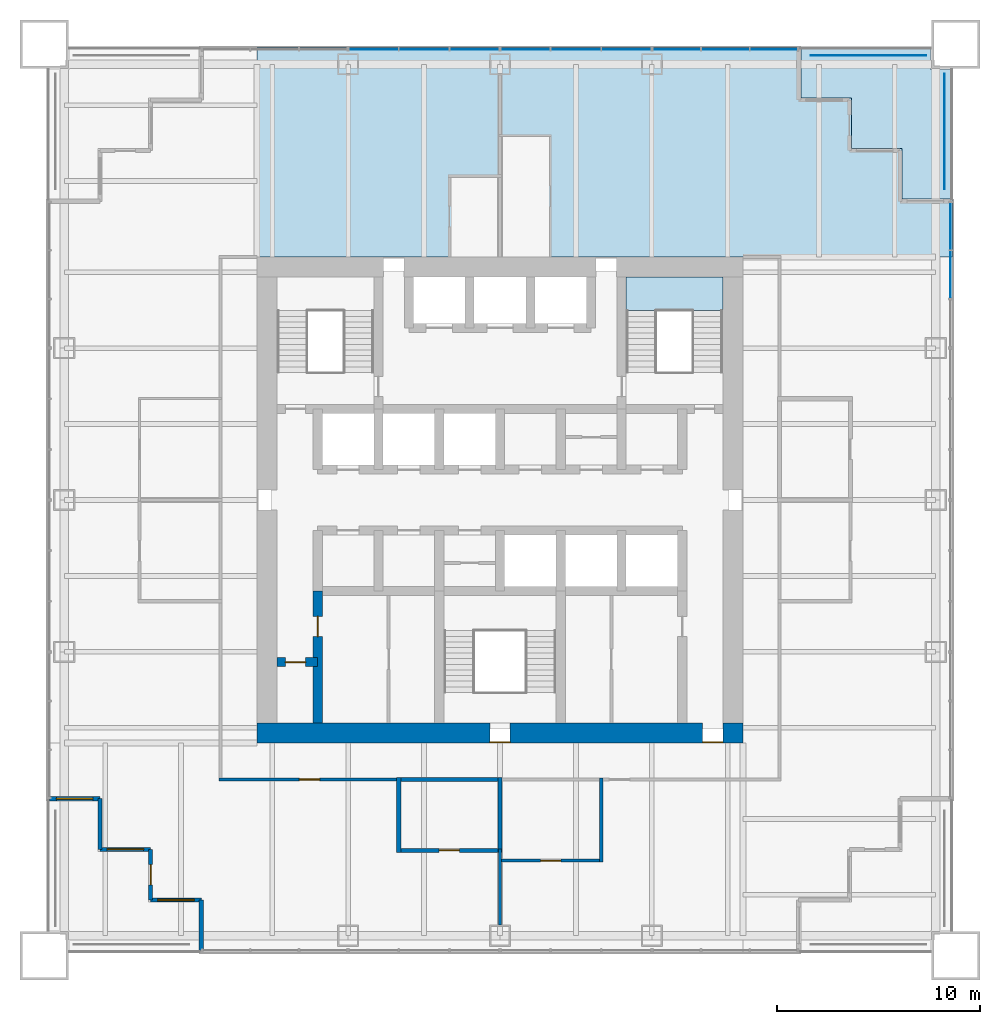
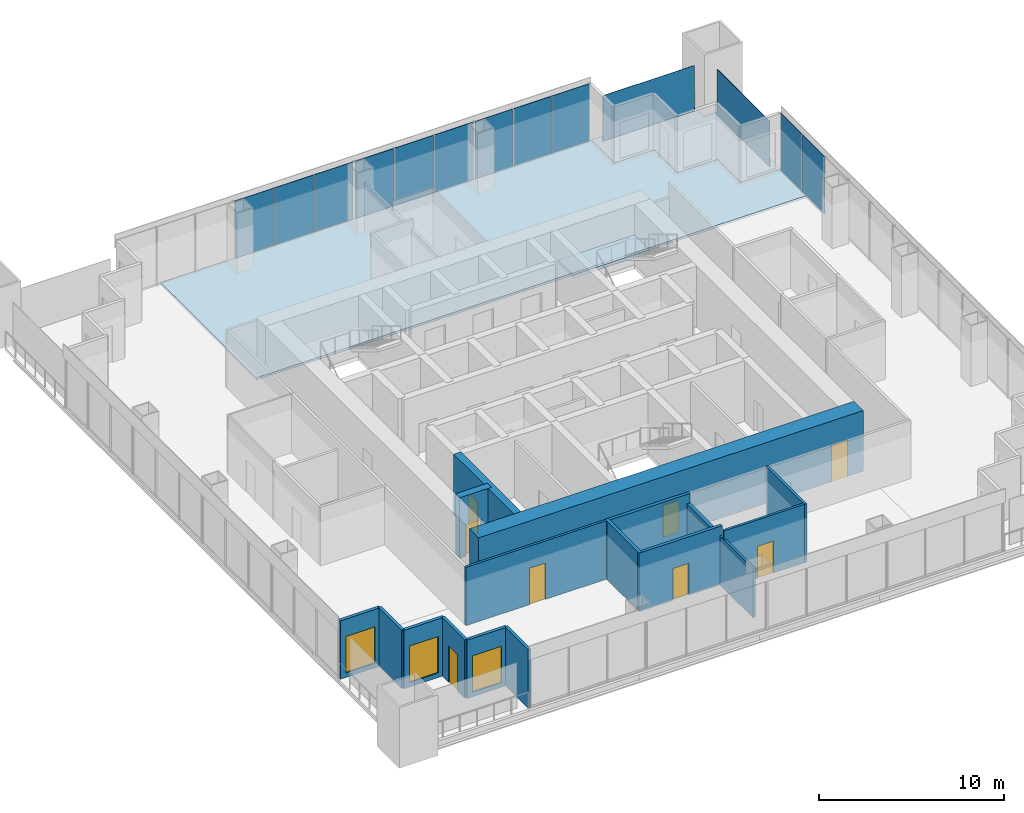
# One storey, part 8 of 13: 17 walls, 13 plates, 8 doors, 3 slabs, 3 windows, 11 openings, 5 elements without a shape of their own.
"""IFC4 building model written with IfcOpenShell, lengths in metres."""

from ifc_helpers import new_model, si_unit, direction, frame, frame_2d, origin, origin_2d, place, context, subcontext, project, spatial, polyline, rectangle, outline, extrude, material, layer, layer_set, type_object, element, fill, aggregate, save


model = new_model("IFC4")

# Units and contexts
model_context = context("Model", 3, precision=1e-05, world=origin(), true_north=direction((0.0, 1.0)))
body_context = subcontext(model_context, "Body", "Model", "MODEL_VIEW")
ifc_project = project(units=[si_unit("LENGTHUNIT", "METRE"), si_unit("AREAUNIT", "SQUARE_METRE"), si_unit("VOLUMEUNIT", "CUBIC_METRE"), si_unit("PLANEANGLEUNIT", "RADIAN"), si_unit("MASSUNIT", "GRAM", prefix="KILO")], contexts=[model_context])

# Site, building, storey
site_placement = place(None, origin())
site = spatial("IfcSite", under=ifc_project, at=site_placement, CompositionType="ELEMENT")
building_placement = place(site_placement, origin())
building = spatial("IfcBuilding", under=site, at=building_placement, Name="Tarangal Relay Tower", CompositionType="ELEMENT")
storey_placement = place(building_placement, frame((0.0, 0.0, 217.89990234375)))
storey = spatial("IfcBuildingStorey", under=building, at=storey_placement, Name="L46", CompositionType="ELEMENT", Elevation=217.89990234375)

# Slab
ifc_material_1 = material(Name="Concrete fc' 35 MPa", Category="concrete")
ifc_layer_1 = layer(ifc_material_1, 0.14990234375)
ifc_layer_set_1 = layer_set([ifc_layer_1], Name="Floor slab 150")
slab_type_1 = type_object("IfcSlabType", Name="Floor slab 150", PredefinedType="FLOOR", material=ifc_layer_set_1)
slab_1_placement = place(storey_placement, frame((0.0, 0.0, -0.14990234375)))
element("IfcSlab", 1, at=slab_1_placement, inside=storey, type_object=slab_type_1, Name="Floor slab FS3 L46 north bay", PredefinedType="FLOOR", context=body_context, shape_type="SweptSolid", body=[
    extrude(outline(polyline([(14.85009765625, 22.35009765625), (14.85009765625, 19.85009765625), (17.35009765625, 19.85009765625), (17.35009765625, 17.35009765625), (19.85009765625, 17.35009765625), (19.85009765625, 14.85009765625), (22.35009765625, 14.85009765625), (22.35009765625, 12.0), (-12.0, 12.0), (-12.0, 22.35009765625), (14.85009765625, 22.35009765625)])), origin(), (0.0, 0.0, 1.0), 0.14990234375),
])

# Curtain wall, plates
ifc_material_2 = material(Name="Unitised curtain wall, dark glass and black aluminium", Category="aluminium")
curtain_wall_type = type_object("IfcCurtainWallType", Name="Curtain wall CW-A", PredefinedType="USERDEFINED", material=ifc_material_2)
curtain_wall_1_placement = place(storey_placement, origin())
curtain_wall_1 = element("IfcCurtainWall", 2, at=curtain_wall_1_placement, inside=storey, type_object=curtain_wall_type, Name="Curtain wall CW-A N facade L46", ObjectType="UNITISED CURTAIN WALL", PredefinedType="USERDEFINED")
ifc_material_3 = material(Name="Dark tinted insulated glass unit", Category="glass")
ifc_layer_2 = layer(ifc_material_3, 0.031982421875)
ifc_layer_set_2 = layer_set([ifc_layer_2], Name="Glazed panel CW-A 32")
plate_type_1 = type_object("IfcPlateType", Name="Glazed panel CW-A 32", PredefinedType="CURTAIN_PANEL", material=ifc_layer_set_2)
plate_1_placement = place(storey_placement, frame((-6.233642578125, 22.25, 0.06494140625), z_axis=(0.0, 0.0, 1.0), x_axis=(1.0, 0.0, 0.0)))
plate_1 = element("IfcPlate", 3, at=plate_1_placement, type_object=plate_type_1, Name="CW-A panel 1.1", PredefinedType="CURTAIN_PANEL", context=body_context, shape_type="SweptSolid", body=[
    extrude(rectangle(XDim=2.402587890625, YDim=0.031982421875, at=origin_2d()), origin(), (0.0, 0.0, 1.0), 3.784912109375),
])
plate_2_placement = place(storey_placement, frame((-3.75, 22.25, 0.06494140625), z_axis=(0.0, 0.0, 1.0), x_axis=(1.0, 0.0, 0.0)))
plate_2 = element("IfcPlate", 4, at=plate_2_placement, type_object=plate_type_1, Name="CW-A panel 2.1", PredefinedType="CURTAIN_PANEL", context=body_context, shape_type="SweptSolid", body=[
    extrude(rectangle(XDim=2.43505859375, YDim=0.031982421875, at=origin_2d()), origin(), (0.0, 0.0, 1.0), 3.784912109375),
])
plate_3_placement = place(storey_placement, frame((-1.266357421875, 22.25, 0.06494140625), z_axis=(0.0, 0.0, 1.0), x_axis=(1.0, 0.0, 0.0)))
plate_3 = element("IfcPlate", 5, at=plate_3_placement, type_object=plate_type_1, Name="CW-A panel 3.1", PredefinedType="CURTAIN_PANEL", context=body_context, shape_type="SweptSolid", body=[
    extrude(rectangle(XDim=2.402587890625, YDim=0.031982421875, at=origin_2d()), origin(), (0.0, 0.0, 1.0), 3.784912109375),
])
aggregate(curtain_wall_1, [plate_1, plate_2, plate_3])

curtain_wall_2_placement = place(storey_placement, origin())
curtain_wall_2 = element("IfcCurtainWall", 6, at=curtain_wall_2_placement, inside=storey, type_object=curtain_wall_type, Name="Curtain wall CW-A N facade L46", ObjectType="UNITISED CURTAIN WALL", PredefinedType="USERDEFINED")
plate_4_placement = place(storey_placement, frame((1.266357421875, 22.25, 0.06494140625), z_axis=(0.0, 0.0, 1.0), x_axis=(1.0, 0.0, 0.0)))
plate_4 = element("IfcPlate", 7, at=plate_4_placement, type_object=plate_type_1, Name="CW-A panel 1.1", PredefinedType="CURTAIN_PANEL", context=body_context, shape_type="SweptSolid", body=[
    extrude(rectangle(XDim=2.402587890625, YDim=0.031982421875, at=origin_2d()), origin(), (0.0, 0.0, 1.0), 3.784912109375),
])
plate_5_placement = place(storey_placement, frame((3.75, 22.25, 0.06494140625), z_axis=(0.0, 0.0, 1.0), x_axis=(1.0, 0.0, 0.0)))
plate_5 = element("IfcPlate", 8, at=plate_5_placement, type_object=plate_type_1, Name="CW-A panel 2.1", PredefinedType="CURTAIN_PANEL", context=body_context, shape_type="SweptSolid", body=[
    extrude(rectangle(XDim=2.43505859375, YDim=0.031982421875, at=origin_2d()), origin(), (0.0, 0.0, 1.0), 3.784912109375),
])
plate_6_placement = place(storey_placement, frame((6.233642578125, 22.25, 0.06494140625), z_axis=(0.0, 0.0, 1.0), x_axis=(1.0, 0.0, 0.0)))
plate_6 = element("IfcPlate", 9, at=plate_6_placement, type_object=plate_type_1, Name="CW-A panel 3.1", PredefinedType="CURTAIN_PANEL", context=body_context, shape_type="SweptSolid", body=[
    extrude(rectangle(XDim=2.402587890625, YDim=0.031982421875, at=origin_2d()), origin(), (0.0, 0.0, 1.0), 3.784912109375),
])
aggregate(curtain_wall_2, [plate_4, plate_5, plate_6])

curtain_wall_3_placement = place(storey_placement, origin())
curtain_wall_3 = element("IfcCurtainWall", 10, at=curtain_wall_3_placement, inside=storey, type_object=curtain_wall_type, Name="Curtain wall CW-A N facade L46", ObjectType="UNITISED CURTAIN WALL", PredefinedType="USERDEFINED")
plate_7_placement = place(storey_placement, frame((8.724609375, 22.25, 0.06494140625), z_axis=(0.0, 0.0, 1.0), x_axis=(1.0, 0.0, 0.0)))
plate_7 = element("IfcPlate", 11, at=plate_7_placement, type_object=plate_type_1, Name="CW-A panel 1.1", PredefinedType="CURTAIN_PANEL", context=body_context, shape_type="SweptSolid", body=[
    extrude(rectangle(XDim=2.319091796875, YDim=0.031982421875, at=origin_2d()), origin(), (0.0, 0.0, 1.0), 3.784912109375),
])
plate_8_placement = place(storey_placement, frame((11.125, 22.25, 0.06494140625), z_axis=(0.0, 0.0, 1.0), x_axis=(1.0, 0.0, 0.0)))
plate_8 = element("IfcPlate", 12, at=plate_8_placement, type_object=plate_type_1, Name="CW-A panel 2.1", PredefinedType="CURTAIN_PANEL", context=body_context, shape_type="SweptSolid", body=[
    extrude(rectangle(XDim=2.3515625, YDim=0.031982421875, at=origin_2d()), origin(), (0.0, 0.0, 1.0), 3.784912109375),
])
plate_9_placement = place(storey_placement, frame((13.525390625, 22.25, 0.06494140625), z_axis=(0.0, 0.0, 1.0), x_axis=(1.0, 0.0, 0.0)))
plate_9 = element("IfcPlate", 13, at=plate_9_placement, type_object=plate_type_1, Name="CW-A panel 3.1", PredefinedType="CURTAIN_PANEL", context=body_context, shape_type="SweptSolid", body=[
    extrude(rectangle(XDim=2.319091796875, YDim=0.031982421875, at=origin_2d()), origin(), (0.0, 0.0, 1.0), 3.784912109375),
])
aggregate(curtain_wall_3, [plate_7, plate_8, plate_9])

curtain_wall_4_placement = place(storey_placement, origin())
curtain_wall_4 = element("IfcCurtainWall", 14, at=curtain_wall_4_placement, inside=storey, type_object=curtain_wall_type, Name="Curtain wall CW-A E facade L46", ObjectType="UNITISED CURTAIN WALL", PredefinedType="USERDEFINED")
plate_10_placement = place(storey_placement, frame((22.25, 13.525390625, 0.06494140625), z_axis=(0.0, 0.0, 1.0), x_axis=(0.0, -1.0, 0.0)))
plate_10 = element("IfcPlate", 15, at=plate_10_placement, type_object=plate_type_1, Name="CW-A panel 1.1", PredefinedType="CURTAIN_PANEL", context=body_context, shape_type="SweptSolid", body=[
    extrude(rectangle(XDim=2.319091796875, YDim=0.031982421875, at=origin_2d()), origin(), (0.0, 0.0, 1.0), 3.784912109375),
])
plate_11_placement = place(storey_placement, frame((22.25, 11.125, 0.06494140625), z_axis=(0.0, 0.0, 1.0), x_axis=(0.0, -1.0, 0.0)))
plate_11 = element("IfcPlate", 16, at=plate_11_placement, type_object=plate_type_1, Name="CW-A panel 2.1", PredefinedType="CURTAIN_PANEL", context=body_context, shape_type="SweptSolid", body=[
    extrude(rectangle(XDim=2.3515625, YDim=0.031982421875, at=origin_2d()), origin(), (0.0, 0.0, 1.0), 3.784912109375),
])
aggregate(curtain_wall_4, [plate_10, plate_11])

# Plate
ifc_material_4 = material(Name="Black stainless steel cable trellis with climbing planting", Category="steel")
ifc_layer_3 = layer(ifc_material_4, 0.030029296875)
ifc_layer_set_3 = layer_set([ifc_layer_3], Name="Planted trellis screen")
plate_type_2 = type_object("IfcPlateType", Name="Planted trellis screen", PredefinedType="SHEET", material=ifc_layer_set_3)
plate_12_placement = place(storey_placement, frame((21.949951171875, 18.199951171875, 0.0), z_axis=(0.0, 0.0, 1.0), x_axis=(0.0, -1.0, 0.0)))
element("IfcPlate", 17, at=plate_12_placement, inside=storey, type_object=plate_type_2, Name="Planted trellis SC2 NE L46", PredefinedType="SHEET", context=body_context, shape_type="SweptSolid", body=[
    extrude(rectangle(XDim=5.699951171875, YDim=0.030029296875, at=origin_2d()), origin(), (0.0, 0.0, 1.0), 3.0),
])

# Stair, slab
ifc_material_5 = material(Name="Steel ASTM A992 stair flight", Category="steel")
stair_type = type_object("IfcStairType", Name="Core stair 1500", PredefinedType="HALF_TURN_STAIR", material=ifc_material_5)
stair_placement = place(storey_placement, origin())
stair = element("IfcStair", 18, at=stair_placement, inside=storey, type_object=stair_type, Name="Stair ST-B L46", PredefinedType="HALF_TURN_STAIR")
ifc_layer_4 = layer(ifc_material_1, 0.199951171875)
ifc_layer_set_4 = layer_set([ifc_layer_4], Name="Stair landing 200")
slab_type_2 = type_object("IfcSlabType", Name="Stair landing 200", PredefinedType="LANDING", material=ifc_layer_set_4)
slab_2_placement = place(storey_placement, frame((0.0, 0.0, 1.800048828125)))
slab_2 = element("IfcSlab", 19, at=slab_2_placement, type_object=slab_type_2, Name="ST-B landing 2", PredefinedType="LANDING", context=body_context, shape_type="SweptSolid", body=[
    extrude(outline(polyline([(6.22509765625, 9.346923828125), (11.0, 9.346923828125), (11.0, 11.0), (6.22509765625, 11.0), (6.22509765625, 9.346923828125)])), origin(), (0.0, 0.0, 1.0), 0.199951171875),
])
aggregate(stair, [slab_2])

# Plate
ifc_material_6 = material(Name="Perforated black aluminium screen", Category="aluminium")
ifc_layer_5 = layer(ifc_material_6, 0.02001953125)
ifc_layer_set_5 = layer_set([ifc_layer_5], Name="Terrace screen panel")
plate_type_3 = type_object("IfcPlateType", Name="Terrace screen panel", PredefinedType="SHEET", material=ifc_layer_set_5)
plate_13_placement = place(storey_placement, frame((18.199951171875, 21.949951171875, 0.0), z_axis=(0.0, 0.0, 1.0), x_axis=(1.0, 0.0, 0.0)))
element("IfcPlate", 20, at=plate_13_placement, inside=storey, type_object=plate_type_3, Name="Terrace screen SC1 NE L46", PredefinedType="SHEET", context=body_context, shape_type="SweptSolid", body=[
    extrude(rectangle(XDim=5.699951171875, YDim=0.02001953125, at=origin_2d()), origin(), (0.0, 0.0, 1.0), 3.0),
])

# Slab
ifc_layer_6 = layer(ifc_material_1, 0.14990234375)
ifc_layer_set_6 = layer_set([ifc_layer_6], Name="Terrace slab 150")
slab_type_3 = type_object("IfcSlabType", Name="Terrace slab 150", PredefinedType="FLOOR", material=ifc_layer_set_6)
slab_3_placement = place(storey_placement, frame((0.0, 0.0, -0.14990234375)))
element("IfcSlab", 21, at=slab_3_placement, inside=storey, type_object=slab_type_3, Name="Corner terrace NE L46", PredefinedType="FLOOR", context=body_context, shape_type="SweptSolid", body=[
    extrude(outline(polyline([(14.85009765625, 22.35009765625), (14.85009765625, 19.85009765625), (17.35009765625, 19.85009765625), (17.35009765625, 17.35009765625), (19.85009765625, 17.35009765625), (19.85009765625, 14.85009765625), (22.35009765625, 14.85009765625), (22.35009765625, 21.25), (21.25, 21.25), (21.25, 22.35009765625), (14.85009765625, 22.35009765625)])), origin(), (0.0, 0.0, 1.0), 0.14990234375),
])

# Wall, opening, door
ifc_material_7 = material(Name="Two layers gypsum board each side on twin steel studs, mineral wool", Category="steel")
ifc_layer_7 = layer(ifc_material_7, 0.199951171875)
ifc_layer_set_7 = layer_set([ifc_layer_7], Name="Acoustic partition 200")
wall_type_1 = type_object("IfcWallType", Name="Acoustic partition 200", PredefinedType="PARTITIONING", material=ifc_layer_set_7)
wall_1_placement = place(storey_placement, frame((-5.10009765625, -17.300048828125, 0.0), z_axis=(0.0, 0.0, 1.0), x_axis=(1.0, 0.0, 0.0)))
wall_1 = element("IfcWall", 22, at=wall_1_placement, inside=storey, type_object=wall_type_1, Name="Partition PT2 L46", PredefinedType="PARTITIONING", context=body_context, shape_type="SweptSolid", body=[
    extrude(rectangle(XDim=5.2001953125, YDim=0.199951171875, at=frame_2d((2.60009765625, 0.0))), origin(), (0.0, 0.0, 1.0), 3.85009765625),
])
opening_1_placement = place(wall_1_placement, frame((2.10009765625, 0.0, 0.0)))
opening_1 = element("IfcOpeningElement", 23, at=opening_1_placement, cuts=wall_1, Name="Opening D2", PredefinedType="OPENING", context=body_context, shape_type="SweptSolid", body=[
    extrude(rectangle(XDim=1.0, YDim=2.10009765625, at=frame_2d((0.5, 1.050048828125))), frame((0.0, 0.10986328125, 0.0), z_axis=(0.0, -1.0, 0.0), x_axis=(1.0, 0.0, 0.0)), (0.0, 0.0, 1.0), 0.219970703125),
])
ifc_material_8 = material(Name="Hardwood door", Category="wood")
door_type_1 = type_object("IfcDoorType", Name="Door 1000 x 2100", OperationType="SINGLE_SWING_LEFT", PredefinedType="DOOR", material=ifc_material_8)
door_1_placement = place(opening_1_placement, origin())
door_1 = element("IfcDoor", 24, at=door_1_placement, inside=storey, type_object=door_type_1, Name="Door D2 to quiet room L46-07", OperationType="SINGLE_SWING_LEFT", OverallHeight=2.10009765625, OverallWidth=1.0, PredefinedType="DOOR", context=body_context, shape_type="SweptSolid", body=[
    extrude(rectangle(XDim=1.0, YDim=2.10009765625, at=frame_2d((0.5, 1.050048828125))), frame((0.0, 0.02490234375, 0.0), z_axis=(0.0, -1.0, 0.0), x_axis=(1.0, 0.0, 0.0)), (0.0, 0.0, 1.0), 0.050048828125),
])
fill(opening_1, door_1)

# Walls
wall_2_placement = place(storey_placement, frame((-5.10009765625, -13.800048828125, 0.0), z_axis=(0.0, 0.0, 1.0), x_axis=(1.0, 0.0, 0.0)))
element("IfcWall", 25, at=wall_2_placement, inside=storey, type_object=wall_type_1, Name="Partition PT2 L46", PredefinedType="PARTITIONING", context=body_context, shape_type="SweptSolid", body=[
    extrude(rectangle(XDim=5.2001953125, YDim=0.199951171875, at=frame_2d((2.60009765625, 0.0))), origin(), (0.0, 0.0, 1.0), 3.85009765625),
])
wall_3_placement = place(storey_placement, frame((-5.0, -17.39990234375, 0.0), z_axis=(0.0, 0.0, 1.0), x_axis=(0.0, 1.0, 0.0)))
element("IfcWall", 26, at=wall_3_placement, inside=storey, type_object=wall_type_1, Name="Partition PT2 L46", PredefinedType="PARTITIONING", context=body_context, shape_type="SweptSolid", body=[
    extrude(rectangle(XDim=3.699951171875, YDim=0.199951171875, at=frame_2d((1.85009765625, 0.0))), origin(), (0.0, 0.0, 1.0), 3.85009765625),
])
wall_4_placement = place(storey_placement, frame((0.0, -17.39990234375, 0.0), z_axis=(0.0, 0.0, 1.0), x_axis=(0.0, 1.0, 0.0)))
element("IfcWall", 27, at=wall_4_placement, inside=storey, type_object=wall_type_1, Name="Partition PT2 L46", PredefinedType="PARTITIONING", context=body_context, shape_type="SweptSolid", body=[
    extrude(rectangle(XDim=3.699951171875, YDim=0.199951171875, at=frame_2d((1.85009765625, 0.0))), origin(), (0.0, 0.0, 1.0), 3.238037109375),
])

# Wall, opening, door
ifc_material_9 = material(Name="Concrete fc' 60 MPa", Category="concrete")
ifc_layer_8 = layer(ifc_material_9, 0.449951171875)
ifc_layer_set_8 = layer_set([ifc_layer_8], Name="Core inner wall 450")
wall_type_2 = type_object("IfcWallType", Name="Core inner wall 450", PredefinedType="SHEAR", material=ifc_layer_set_8)
wall_5_placement = place(storey_placement, frame((-11.0, -8.0, 0.0), z_axis=(0.0, 0.0, 1.0), x_axis=(1.0, 0.0, 0.0)))
wall_5 = element("IfcWall", 28, at=wall_5_placement, inside=storey, type_object=wall_type_2, Name="Core wall YM8 L46", PredefinedType="SHEAR", context=body_context, shape_type="SweptSolid", body=[
    extrude(rectangle(XDim=2.0, YDim=0.449951171875, at=frame_2d((1.0, 0.0))), origin(), (0.0, 0.0, 1.0), 4.0),
])
opening_2_placement = place(wall_5_placement, frame((0.39990234375, 0.0, 0.0)))
opening_2 = element("IfcOpeningElement", 29, at=opening_2_placement, cuts=wall_5, Name="Opening D1", PredefinedType="OPENING", context=body_context, shape_type="SweptSolid", body=[
    extrude(rectangle(XDim=1.0, YDim=2.10009765625, at=frame_2d((0.5, 1.050048828125))), frame((0.0, 0.23486328125, 0.0), z_axis=(0.0, -1.0, 0.0), x_axis=(1.0, 0.0, 0.0)), (0.0, 0.0, 1.0), 0.469970703125),
])
door_type_2 = type_object("IfcDoorType", Name="WC door 1000 x 2100", OperationType="SINGLE_SWING_LEFT", PredefinedType="DOOR", material=ifc_material_8)
door_2_placement = place(opening_2_placement, origin())
door_2 = element("IfcDoor", 30, at=door_2_placement, inside=storey, type_object=door_type_2, Name="Accessible WC door L46", OperationType="SINGLE_SWING_LEFT", OverallHeight=2.10009765625, OverallWidth=1.0, PredefinedType="DOOR", context=body_context, shape_type="SweptSolid", body=[
    extrude(rectangle(XDim=1.0, YDim=2.10009765625, at=frame_2d((0.5, 1.050048828125))), frame((0.0, 0.02490234375, 0.0), z_axis=(0.0, -1.0, 0.0), x_axis=(1.0, 0.0, 0.0)), (0.0, 0.0, 1.0), 0.050048828125),
])
fill(opening_2, door_2)

wall_6_placement = place(storey_placement, frame((-9.0, -11.0, 0.0), z_axis=(0.0, 0.0, 1.0), x_axis=(0.0, 1.0, 0.0)))
wall_6 = element("IfcWall", 31, at=wall_6_placement, inside=storey, type_object=wall_type_2, Name="Core wall XM9W L46", PredefinedType="SHEAR", context=body_context, shape_type="SweptSolid", body=[
    extrude(rectangle(XDim=6.5, YDim=0.449951171875, at=frame_2d((3.25, 0.0))), origin(), (0.0, 0.0, 1.0), 4.0),
])
opening_3_placement = place(wall_6_placement, frame((4.25, 0.0, 0.0)))
opening_3 = element("IfcOpeningElement", 32, at=opening_3_placement, cuts=wall_6, Name="Opening D1", PredefinedType="OPENING", context=body_context, shape_type="SweptSolid", body=[
    extrude(rectangle(XDim=1.0, YDim=2.10009765625, at=frame_2d((0.5, 1.050048828125))), frame((0.0, 0.23486328125, 0.0), z_axis=(0.0, -1.0, 0.0), x_axis=(1.0, 0.0, 0.0)), (0.0, 0.0, 1.0), 0.469970703125),
])
door_3_placement = place(opening_3_placement, origin())
door_3 = element("IfcDoor", 33, at=door_3_placement, inside=storey, type_object=door_type_2, Name="Male WC door L46", OperationType="SINGLE_SWING_LEFT", OverallHeight=2.10009765625, OverallWidth=1.0, PredefinedType="DOOR", context=body_context, shape_type="SweptSolid", body=[
    extrude(rectangle(XDim=1.0, YDim=2.10009765625, at=frame_2d((0.5, 1.050048828125))), frame((0.0, 0.02490234375, 0.0), z_axis=(0.0, -1.0, 0.0), x_axis=(1.0, 0.0, 0.0)), (0.0, 0.0, 1.0), 0.050048828125),
])
fill(opening_3, door_3)

# Wall, openings, doors
ifc_layer_9 = layer(ifc_material_9, 1.0)
ifc_layer_set_9 = layer_set([ifc_layer_9], Name="Core wall 1000")
wall_type_3 = type_object("IfcWallType", Name="Core wall 1000", PredefinedType="SHEAR", material=ifc_layer_set_9)
wall_7_placement = place(storey_placement, frame((12.0, -11.5, 0.0), z_axis=(0.0, 0.0, 1.0), x_axis=(-1.0, 0.0, 0.0)))
wall_7 = element("IfcWall", 34, at=wall_7_placement, inside=storey, type_object=wall_type_3, Name="Core wall S L46", PredefinedType="SHEAR", context=body_context, shape_type="SweptSolid", body=[
    extrude(rectangle(XDim=24.0, YDim=1.0, at=frame_2d((12.0, 0.0))), origin(), (0.0, 0.0, 1.0), 4.0),
])
opening_4_placement = place(wall_7_placement, frame((11.5, 0.0, 0.0)))
opening_4 = element("IfcOpeningElement", 35, at=opening_4_placement, cuts=wall_7, Name="Opening FD1", PredefinedType="OPENING", context=body_context, shape_type="SweptSolid", body=[
    extrude(rectangle(XDim=1.0, YDim=2.10009765625, at=frame_2d((0.5, 1.050048828125))), frame((0.0, 0.510009765625, 0.0), z_axis=(0.0, -1.0, 0.0), x_axis=(1.0, 0.0, 0.0)), (0.0, 0.0, 1.0), 1.02001953125),
])
opening_5_placement = place(wall_7_placement, frame((1.0, 0.0, 0.0)))
opening_5 = element("IfcOpeningElement", 36, at=opening_5_placement, cuts=wall_7, Name="Opening FD3", PredefinedType="OPENING", context=body_context, shape_type="SweptSolid", body=[
    extrude(rectangle(XDim=1.0, YDim=2.39990234375, at=frame_2d((0.5, 1.199951171875))), frame((0.0, 0.510009765625, 0.0), z_axis=(0.0, -1.0, 0.0), x_axis=(1.0, 0.0, 0.0)), (0.0, 0.0, 1.0), 1.02001953125),
])
ifc_material_10 = material(Name="Steel door with hardwood frame", Category="steel")
door_type_3 = type_object("IfcDoorType", Name="Fire door 1000 x 2100", OperationType="SINGLE_SWING_LEFT", PredefinedType="DOOR", material=ifc_material_10)
door_4_placement = place(opening_4_placement, origin())
door_4 = element("IfcDoor", 37, at=door_4_placement, inside=storey, type_object=door_type_3, Name="Stair ST-C door L46", OperationType="SINGLE_SWING_LEFT", OverallHeight=2.10009765625, OverallWidth=1.0, PredefinedType="DOOR", context=body_context, shape_type="SweptSolid", body=[
    extrude(rectangle(XDim=1.0, YDim=2.10009765625, at=frame_2d((0.5, 1.050048828125))), frame((0.0, 0.48486328125, 0.0), z_axis=(0.0, -1.0, 0.0), x_axis=(1.0, 0.0, 0.0)), (0.0, 0.0, 1.0), 0.050048828125),
])
fill(opening_4, door_4)
door_type_4 = type_object("IfcDoorType", Name="Fire door 1000 x 2400 core entry", OperationType="SINGLE_SWING_RIGHT", PredefinedType="DOOR", material=ifc_material_10)
door_5_placement = place(opening_5_placement, origin())
door_5 = element("IfcDoor", 38, at=door_5_placement, inside=storey, type_object=door_type_4, Name="Core entry door south east L46", OperationType="SINGLE_SWING_RIGHT", OverallHeight=2.39990234375, OverallWidth=1.0, PredefinedType="DOOR", context=body_context, shape_type="SweptSolid", body=[
    extrude(rectangle(XDim=1.0, YDim=2.39990234375, at=frame_2d((0.5, 1.199951171875))), frame((0.0, 0.48486328125, 0.0), z_axis=(0.0, -1.0, 0.0), x_axis=(1.0, 0.0, 0.0)), (0.0, 0.0, 1.0), 0.050048828125),
])
fill(opening_5, door_5)

# Wall
ifc_material_11 = material(Name="Black metal clad insulated wall", Category="steel")
ifc_layer_10 = layer(ifc_material_11, 0.199951171875)
ifc_layer_set_10 = layer_set([ifc_layer_10], Name="Corner wall metal clad 200")
wall_type_4 = type_object("IfcWallType", Name="Corner wall metal clad 200", PredefinedType="SOLIDWALL", material=ifc_layer_set_10)
wall_8_placement = place(storey_placement, frame((-14.75, -22.25, 0.0), z_axis=(0.0, 0.0, 1.0), x_axis=(0.0, 1.0, 0.0)))
element("IfcWall", 39, at=wall_8_placement, inside=storey, type_object=wall_type_4, Name="Facade wall S facade L46", PredefinedType="SOLIDWALL", context=body_context, shape_type="SweptSolid", body=[
    extrude(rectangle(XDim=2.5, YDim=0.199951171875, at=frame_2d((1.25, 0.0))), origin(), (0.0, 0.0, 1.0), 3.85009765625),
])

# Wall, opening, window
wall_9_placement = place(storey_placement, frame((-14.75, -19.75, 0.0), z_axis=(0.0, 0.0, 1.0), x_axis=(-1.0, 0.0, 0.0)))
wall_9 = element("IfcWall", 40, at=wall_9_placement, inside=storey, type_object=wall_type_4, Name="Facade wall S facade L46", PredefinedType="SOLIDWALL", context=body_context, shape_type="SweptSolid", body=[
    extrude(rectangle(XDim=2.5, YDim=0.199951171875, at=frame_2d((1.25, 0.0))), origin(), (0.0, 0.0, 1.0), 3.85009765625),
])
opening_6_placement = place(wall_9_placement, frame((0.35009765625, 0.0, 0.300048828125)))
opening_6 = element("IfcOpeningElement", 41, at=opening_6_placement, cuts=wall_9, Name="Opening WN2", PredefinedType="OPENING", context=body_context, shape_type="SweptSolid", body=[
    extrude(rectangle(XDim=1.800048828125, YDim=2.39990234375, at=frame_2d((0.89990234375, 1.199951171875))), frame((0.0, 0.10986328125, 0.0), z_axis=(0.0, -1.0, 0.0), x_axis=(1.0, 0.0, 0.0)), (0.0, 0.0, 1.0), 0.219970703125),
])
ifc_material_12 = material(Name="Dark tinted double glazing in black aluminium frame", Category="aluminium")
window_type = type_object("IfcWindowType", Name="Corner window 1800 x 2400", PartitioningType="SINGLE_PANEL", PredefinedType="WINDOW", material=ifc_material_12)
window_1_placement = place(opening_6_placement, origin())
window_1 = element("IfcWindow", 42, at=window_1_placement, inside=storey, type_object=window_type, Name="Corner window WN2 S facade L46", OverallHeight=2.39990234375, OverallWidth=1.800048828125, PartitioningType="SINGLE_PANEL", PredefinedType="WINDOW", context=body_context, shape_type="SweptSolid", body=[
    extrude(rectangle(XDim=1.800048828125, YDim=2.39990234375, at=frame_2d((0.89990234375, 1.199951171875))), frame((0.0, 0.030029296875, 0.0), z_axis=(0.0, -1.0, 0.0), x_axis=(1.0, 0.0, 0.0)), (0.0, 0.0, 1.0), 0.06005859375),
])
fill(opening_6, window_1)

# Wall, opening, door
wall_10_placement = place(storey_placement, frame((-17.25, -19.75, 0.0), z_axis=(0.0, 0.0, 1.0), x_axis=(0.0, 1.0, 0.0)))
wall_10 = element("IfcWall", 43, at=wall_10_placement, inside=storey, type_object=wall_type_4, Name="Facade wall S facade L46", PredefinedType="SOLIDWALL", context=body_context, shape_type="SweptSolid", body=[
    extrude(rectangle(XDim=2.5, YDim=0.199951171875, at=frame_2d((1.25, 0.0))), origin(), (0.0, 0.0, 1.0), 3.85009765625),
])
opening_7_placement = place(wall_10_placement, frame((0.75, 0.0, 0.0)))
opening_7 = element("IfcOpeningElement", 44, at=opening_7_placement, cuts=wall_10, Name="Opening TD1", PredefinedType="OPENING", context=body_context, shape_type="SweptSolid", body=[
    extrude(rectangle(XDim=1.0, YDim=2.39990234375, at=frame_2d((0.5, 1.199951171875))), frame((0.0, 0.10986328125, 0.0), z_axis=(0.0, -1.0, 0.0), x_axis=(1.0, 0.0, 0.0)), (0.0, 0.0, 1.0), 0.219970703125),
])
ifc_material_13 = material(Name="Aluminium glazed door", Category="aluminium")
door_type_5 = type_object("IfcDoorType", Name="Terrace door 1000 x 2400", OperationType="SINGLE_SWING_RIGHT", PredefinedType="DOOR", material=ifc_material_13)
door_6_placement = place(opening_7_placement, origin())
door_6 = element("IfcDoor", 45, at=door_6_placement, inside=storey, type_object=door_type_5, Name="Terrace door TD1 SW L46", OperationType="SINGLE_SWING_RIGHT", OverallHeight=2.39990234375, OverallWidth=1.0, PredefinedType="DOOR", context=body_context, shape_type="SweptSolid", body=[
    extrude(rectangle(XDim=1.0, YDim=2.39990234375, at=frame_2d((0.5, 1.199951171875))), frame((0.0, 0.02490234375, 0.0), z_axis=(0.0, -1.0, 0.0), x_axis=(1.0, 0.0, 0.0)), (0.0, 0.0, 1.0), 0.050048828125),
])
fill(opening_7, door_6)

# Wall, opening, window
wall_11_placement = place(storey_placement, frame((-17.25, -17.25, 0.0), z_axis=(0.0, 0.0, 1.0), x_axis=(-1.0, 0.0, 0.0)))
wall_11 = element("IfcWall", 46, at=wall_11_placement, inside=storey, type_object=wall_type_4, Name="Facade wall S facade L46", PredefinedType="SOLIDWALL", context=body_context, shape_type="SweptSolid", body=[
    extrude(rectangle(XDim=2.5, YDim=0.199951171875, at=frame_2d((1.25, 0.0))), origin(), (0.0, 0.0, 1.0), 3.85009765625),
])
opening_8_placement = place(wall_11_placement, frame((0.35009765625, 0.0, 0.300048828125)))
opening_8 = element("IfcOpeningElement", 47, at=opening_8_placement, cuts=wall_11, Name="Opening WN2", PredefinedType="OPENING", context=body_context, shape_type="SweptSolid", body=[
    extrude(rectangle(XDim=1.800048828125, YDim=2.39990234375, at=frame_2d((0.89990234375, 1.199951171875))), frame((0.0, 0.10986328125, 0.0), z_axis=(0.0, -1.0, 0.0), x_axis=(1.0, 0.0, 0.0)), (0.0, 0.0, 1.0), 0.219970703125),
])
window_2_placement = place(opening_8_placement, origin())
window_2 = element("IfcWindow", 48, at=window_2_placement, inside=storey, type_object=window_type, Name="Corner window WN2 S facade L46", OverallHeight=2.39990234375, OverallWidth=1.800048828125, PartitioningType="SINGLE_PANEL", PredefinedType="WINDOW", context=body_context, shape_type="SweptSolid", body=[
    extrude(rectangle(XDim=1.800048828125, YDim=2.39990234375, at=frame_2d((0.89990234375, 1.199951171875))), frame((0.0, 0.030029296875, 0.0), z_axis=(0.0, -1.0, 0.0), x_axis=(1.0, 0.0, 0.0)), (0.0, 0.0, 1.0), 0.06005859375),
])
fill(opening_8, window_2)

# Wall
wall_12_placement = place(storey_placement, frame((-19.75, -17.25, 0.0), z_axis=(0.0, 0.0, 1.0), x_axis=(0.0, 1.0, 0.0)))
element("IfcWall", 49, at=wall_12_placement, inside=storey, type_object=wall_type_4, Name="Facade wall S facade L46", PredefinedType="SOLIDWALL", context=body_context, shape_type="SweptSolid", body=[
    extrude(rectangle(XDim=2.5, YDim=0.199951171875, at=frame_2d((1.25, 0.0))), origin(), (0.0, 0.0, 1.0), 3.85009765625),
])

# Wall, opening, window
wall_13_placement = place(storey_placement, frame((-19.75, -14.75, 0.0), z_axis=(0.0, 0.0, 1.0), x_axis=(-1.0, 0.0, 0.0)))
wall_13 = element("IfcWall", 50, at=wall_13_placement, inside=storey, type_object=wall_type_4, Name="Facade wall S facade L46", PredefinedType="SOLIDWALL", context=body_context, shape_type="SweptSolid", body=[
    extrude(rectangle(XDim=2.5, YDim=0.199951171875, at=frame_2d((1.25, 0.0))), origin(), (0.0, 0.0, 1.0), 3.85009765625),
])
opening_9_placement = place(wall_13_placement, frame((0.35009765625, 0.0, 0.300048828125)))
opening_9 = element("IfcOpeningElement", 51, at=opening_9_placement, cuts=wall_13, Name="Opening WN2", PredefinedType="OPENING", context=body_context, shape_type="SweptSolid", body=[
    extrude(rectangle(XDim=1.800048828125, YDim=2.39990234375, at=frame_2d((0.89990234375, 1.199951171875))), frame((0.0, 0.10986328125, 0.0), z_axis=(0.0, -1.0, 0.0), x_axis=(1.0, 0.0, 0.0)), (0.0, 0.0, 1.0), 0.219970703125),
])
window_3_placement = place(opening_9_placement, origin())
window_3 = element("IfcWindow", 52, at=window_3_placement, inside=storey, type_object=window_type, Name="Corner window WN2 S facade L46", OverallHeight=2.39990234375, OverallWidth=1.800048828125, PartitioningType="SINGLE_PANEL", PredefinedType="WINDOW", context=body_context, shape_type="SweptSolid", body=[
    extrude(rectangle(XDim=1.800048828125, YDim=2.39990234375, at=frame_2d((0.89990234375, 1.199951171875))), frame((0.0, 0.030029296875, 0.0), z_axis=(0.0, -1.0, 0.0), x_axis=(1.0, 0.0, 0.0)), (0.0, 0.0, 1.0), 0.06005859375),
])
fill(opening_9, window_3)

# Wall, opening, door
ifc_material_14 = material(Name="Gypsum board on steel studs", Category="steel")
ifc_layer_11 = layer(ifc_material_14, 0.14990234375)
ifc_layer_set_11 = layer_set([ifc_layer_11], Name="Partition 150")
wall_type_5 = type_object("IfcWallType", Name="Partition 150", PredefinedType="PARTITIONING", material=ifc_layer_set_11)
wall_14_placement = place(storey_placement, frame((-0.074951171875, -17.800048828125, 0.0), z_axis=(0.0, 0.0, 1.0), x_axis=(1.0, 0.0, 0.0)))
wall_14 = element("IfcWall", 53, at=wall_14_placement, inside=storey, type_object=wall_type_5, Name="Partition PT1 L46", PredefinedType="PARTITIONING", context=body_context, shape_type="SweptSolid", body=[
    extrude(rectangle(XDim=5.14990234375, YDim=0.14990234375, at=frame_2d((2.574951171875, 0.0))), origin(), (0.0, 0.0, 1.0), 3.85009765625),
])
opening_10_placement = place(wall_14_placement, frame((2.074951171875, 0.0, 0.0)))
opening_10 = element("IfcOpeningElement", 54, at=opening_10_placement, cuts=wall_14, Name="Opening D2", PredefinedType="OPENING", context=body_context, shape_type="SweptSolid", body=[
    extrude(rectangle(XDim=1.0, YDim=2.10009765625, at=frame_2d((0.5, 1.050048828125))), frame((0.0, 0.0849609375, 0.0), z_axis=(0.0, -1.0, 0.0), x_axis=(1.0, 0.0, 0.0)), (0.0, 0.0, 1.0), 0.169921875),
])
door_7_placement = place(opening_10_placement, origin())
door_7 = element("IfcDoor", 55, at=door_7_placement, inside=storey, type_object=door_type_1, Name="Door D2 to tea pantry L46-06", OperationType="SINGLE_SWING_LEFT", OverallHeight=2.10009765625, OverallWidth=1.0, PredefinedType="DOOR", context=body_context, shape_type="SweptSolid", body=[
    extrude(rectangle(XDim=1.0, YDim=2.10009765625, at=frame_2d((0.5, 1.050048828125))), frame((0.0, 0.02490234375, 0.0), z_axis=(0.0, -1.0, 0.0), x_axis=(1.0, 0.0, 0.0)), (0.0, 0.0, 1.0), 0.050048828125),
])
fill(opening_10, door_7)

wall_15_placement = place(storey_placement, frame((-13.875, -13.800048828125, 0.0), z_axis=(0.0, 0.0, 1.0), x_axis=(1.0, 0.0, 0.0)))
wall_15 = element("IfcWall", 56, at=wall_15_placement, inside=storey, type_object=wall_type_5, Name="Partition PT1 L46", PredefinedType="PARTITIONING", context=body_context, shape_type="SweptSolid", body=[
    extrude(rectangle(XDim=8.949951171875, YDim=0.14990234375, at=frame_2d((4.47509765625, 0.0))), origin(), (0.0, 0.0, 1.0), 3.85009765625),
])
opening_11_placement = place(wall_15_placement, frame((3.97509765625, 0.0, 0.0)))
opening_11 = element("IfcOpeningElement", 57, at=opening_11_placement, cuts=wall_15, Name="Opening SD1", PredefinedType="OPENING", context=body_context, shape_type="SweptSolid", body=[
    extrude(rectangle(XDim=1.0, YDim=2.39990234375, at=frame_2d((0.5, 1.199951171875))), frame((0.0, 0.0849609375, 0.0), z_axis=(0.0, -1.0, 0.0), x_axis=(1.0, 0.0, 0.0)), (0.0, 0.0, 1.0), 0.169921875),
])
door_type_6 = type_object("IfcDoorType", Name="Suite entrance door 1000 x 2400", OperationType="SINGLE_SWING_RIGHT", PredefinedType="DOOR", material=ifc_material_10)
door_8_placement = place(opening_11_placement, origin())
door_8 = element("IfcDoor", 58, at=door_8_placement, inside=storey, type_object=door_type_6, Name="Door SD1 to open plan office L46-10", OperationType="SINGLE_SWING_RIGHT", OverallHeight=2.39990234375, OverallWidth=1.0, PredefinedType="DOOR", context=body_context, shape_type="SweptSolid", body=[
    extrude(rectangle(XDim=1.0, YDim=2.39990234375, at=frame_2d((0.5, 1.199951171875))), frame((0.0, 0.02490234375, 0.0), z_axis=(0.0, -1.0, 0.0), x_axis=(1.0, 0.0, 0.0)), (0.0, 0.0, 1.0), 0.050048828125),
])
fill(opening_11, door_8)

# Walls
wall_16_placement = place(storey_placement, frame((0.0, -20.989990234375, 0.0), z_axis=(0.0, 0.0, 1.0), x_axis=(0.0, 1.0, 0.0)))
element("IfcWall", 59, at=wall_16_placement, inside=storey, type_object=wall_type_5, Name="Partition PT1 L46", PredefinedType="PARTITIONING", context=body_context, shape_type="SweptSolid", body=[
    extrude(rectangle(XDim=3.764892578125, YDim=0.14990234375, at=frame_2d((1.88232421875, 0.0))), origin(), (0.0, 0.0, 1.0), 3.238037109375),
])
wall_17_placement = place(storey_placement, frame((5.0, -17.875, 0.0), z_axis=(0.0, 0.0, 1.0), x_axis=(0.0, 1.0, 0.0)))
element("IfcWall", 60, at=wall_17_placement, inside=storey, type_object=wall_type_5, Name="Partition PT1 L46", PredefinedType="PARTITIONING", context=body_context, shape_type="SweptSolid", body=[
    extrude(rectangle(XDim=4.14990234375, YDim=0.14990234375, at=frame_2d((2.074951171875, 0.0))), origin(), (0.0, 0.0, 1.0), 3.85009765625),
])

save(model, "model.ifc")
